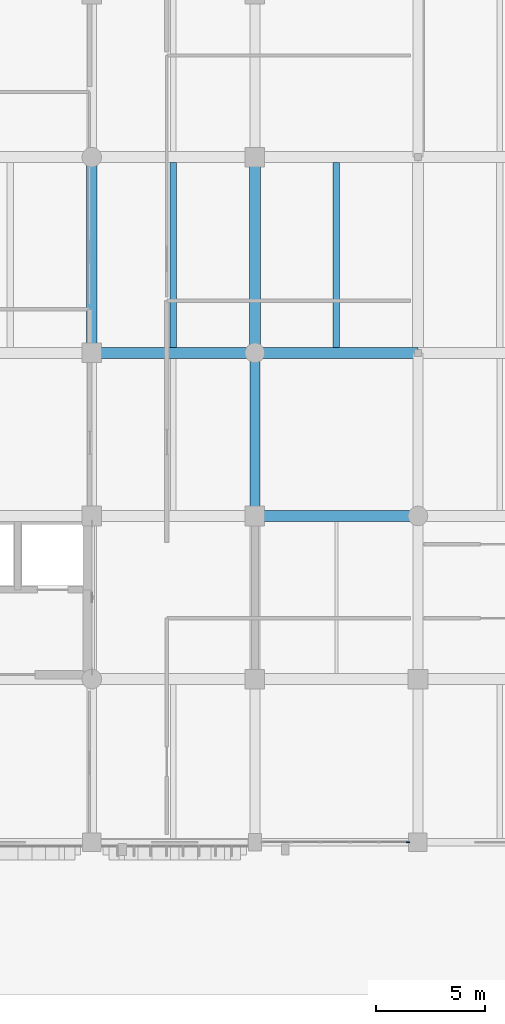
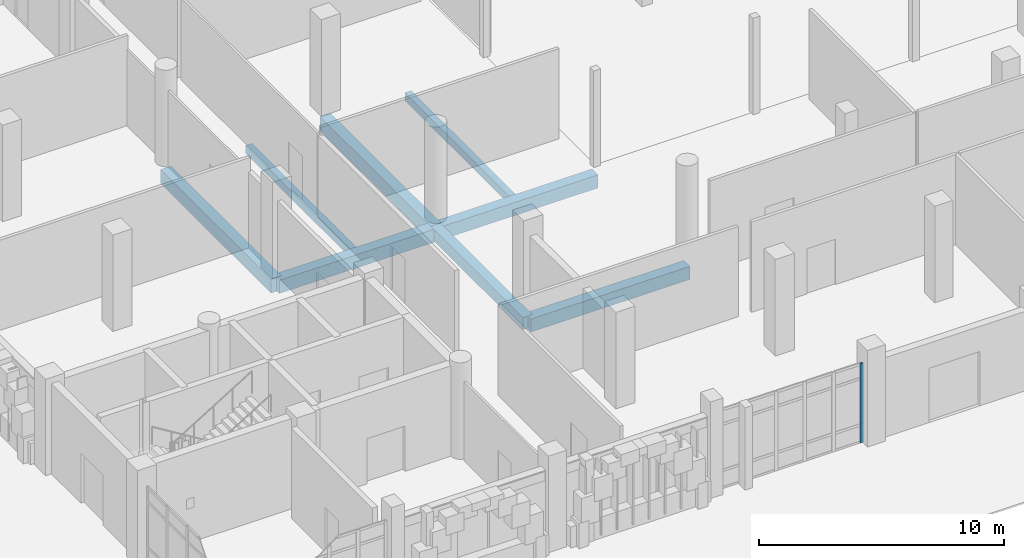
# One storey, part 17 of 125: 8 beams, 1 member, 1 element without a shape of its own.
"""IFC4 building model written with IfcOpenShell, lengths in metres."""

from ifc_helpers import new_model, si_unit, direction, frame, origin, origin_2d, place, context, subcontext, project, spatial, rectangle, extrude, material, layer, layer_set, material_profile, profile_set, type_object, element, aggregate, save


model = new_model("IFC4")

# Units and contexts
model_context = context("Model", 3, precision=1e-05, world=origin(), true_north=direction((0.0, 1.0)))
body_context = subcontext(model_context, "Body", "Model", "MODEL_VIEW")
ifc_project = project(units=[si_unit("LENGTHUNIT", "METRE"), si_unit("AREAUNIT", "SQUARE_METRE"), si_unit("VOLUMEUNIT", "CUBIC_METRE"), si_unit("PLANEANGLEUNIT", "RADIAN"), si_unit("MASSUNIT", "GRAM", prefix="KILO")], contexts=[model_context])

# Site, building, storey
site_placement = place(None, origin())
site = spatial("IfcSite", under=ifc_project, at=site_placement, CompositionType="ELEMENT")
building_placement = place(site_placement, origin())
building = spatial("IfcBuilding", under=site, at=building_placement, Name="Dalvernix Boulevard General Hospital", CompositionType="ELEMENT")
storey_placement = place(building_placement, origin())
storey = spatial("IfcBuildingStorey", under=building, at=storey_placement, Name="L00", CompositionType="ELEMENT", Elevation=0.0)

# Beams
ifc_material_1 = material(Name="Concrete C35/45", Category="concrete")
ifc_material_profile_1 = material_profile(ifc_material_1, rectangle(XDim=0.5, YDim=0.699951171875, at=origin_2d()), Name="RCB 500x700")
ifc_profile_set_1 = profile_set([ifc_material_profile_1], Name="Concrete C35/45")
beam_type_1 = type_object("IfcBeamType", Name="BM-B-01-I", PredefinedType="BEAM", material=ifc_profile_set_1)
for number, where, z_axis, x_axis, name in (
    (1, (15.0, 22.5, -0.7099609375), (0.0, 1.0, 0.0), (-1.0, 0.0, 0.0), "L00 N-S girder 3:D-E"),
    (2, (22.5, 22.5, -0.7099609375), (0.0, 1.0, 0.0), (-1.0, 0.0, 0.0), "L00 N-S girder 4:D-E"),
):
    element("IfcBeam", number, at=place(storey_placement, frame(where, z_axis=z_axis, x_axis=x_axis)), inside=storey, type_object=beam_type_1, Name=name, PredefinedType="BEAM", context=body_context, shape_type="SweptSolid", body=[
        extrude(rectangle(XDim=0.5, YDim=0.699951171875, at=origin_2d()), origin(), (0.0, 0.0, 1.0), 9.0),
    ])
ifc_material_profile_2 = material_profile(ifc_material_1, rectangle(XDim=0.5, YDim=0.64990234375, at=origin_2d()), Name="RCB 500x650")
ifc_profile_set_2 = profile_set([ifc_material_profile_2], Name="Concrete C35/45")
beam_type_2 = type_object("IfcBeamType", Name="BM-B-02-I", PredefinedType="BEAM", material=ifc_profile_set_2)
for number, where, z_axis, x_axis, name in (
    (3, (22.5, 15.0, -0.68505859375), (1.0, 0.0, 0.0), (0.0, 1.0, 0.0), "L00 E-W girder C:4-5"),
    (4, (15.0, 22.5, -0.68505859375), (1.0, 0.0, 0.0), (0.0, 1.0, 0.0), "L00 E-W girder D:3-4"),
    (5, (22.5, 22.5, -0.68505859375), (1.0, 0.0, 0.0), (0.0, 1.0, 0.0), "L00 E-W girder D:4-5"),
):
    element("IfcBeam", number, at=place(storey_placement, frame(where, z_axis=z_axis, x_axis=x_axis)), inside=storey, type_object=beam_type_2, Name=name, PredefinedType="BEAM", context=body_context, shape_type="SweptSolid", body=[
        extrude(rectangle(XDim=0.5, YDim=0.64990234375, at=origin_2d()), origin(), (0.0, 0.0, 1.0), 7.5),
    ])
ifc_material_profile_3 = material_profile(ifc_material_1, rectangle(XDim=0.449951171875, YDim=0.60009765625, at=origin_2d()), Name="RCB 450x600")
ifc_profile_set_3 = profile_set([ifc_material_profile_3], Name="Concrete C35/45")
beam_type_3 = type_object("IfcBeamType", Name="BM-B-04-I", PredefinedType="BEAM", material=ifc_profile_set_3)
beam_placement = place(storey_placement, frame((22.5, 15.0, -0.659912109375), z_axis=(0.0, 1.0, 0.0), x_axis=(-1.0, 0.0, 0.0)))
element("IfcBeam", 6, at=beam_placement, inside=storey, type_object=beam_type_3, Name="L00 N-S girder 4:C-D", PredefinedType="BEAM", context=body_context, shape_type="SweptSolid", body=[
    extrude(rectangle(XDim=0.449951171875, YDim=0.60009765625, at=origin_2d()), origin(), (0.0, 0.0, 1.0), 7.5),
])
ifc_material_profile_4 = material_profile(ifc_material_1, rectangle(XDim=0.300048828125, YDim=0.39990234375, at=origin_2d()), Name="RCB 300x400")
ifc_profile_set_4 = profile_set([ifc_material_profile_4], Name="Concrete C35/45")
beam_type_4 = type_object("IfcBeamType", Name="BM-JB-01", PredefinedType="JOIST", material=ifc_profile_set_4)
for number, where, z_axis, x_axis, name in (
    (7, (18.75, 22.75, -0.56005859375), (0.0, 1.0, 0.0), (-1.0, 0.0, 0.0), "L00 secondary floor beam 3-D"),
    (8, (26.25, 22.75, -0.56005859375), (0.0, 1.0, 0.0), (-1.0, 0.0, 0.0), "L00 secondary floor beam 4-D"),
):
    element("IfcBeam", number, at=place(storey_placement, frame(where, z_axis=z_axis, x_axis=x_axis)), inside=storey, type_object=beam_type_4, Name=name, PredefinedType="JOIST", context=body_context, shape_type="SweptSolid", body=[
        extrude(rectangle(XDim=0.300048828125, YDim=0.39990234375, at=origin_2d()), origin(), (0.0, 0.0, 1.0), 8.5),
    ])

# Curtain wall, member
ifc_material_2 = material(Name="Thermally broken aluminium and solar-control glass curtain wall", Category="aluminium")
ifc_layer = layer(ifc_material_2, 0.159912109375)
ifc_layer_set = layer_set([ifc_layer], Name="Thermally broken aluminium and solar-control glass curtain wall (CW-CW-A-68x40)")
curtain_wall_type = type_object("IfcCurtainWallType", Name="CW-CW-A-68x40", PredefinedType="USERDEFINED", material=ifc_layer_set)
curtain_wall_placement = place(storey_placement, origin())
curtain_wall = element("IfcCurtainWall", 9, at=curtain_wall_placement, inside=storey, type_object=curtain_wall_type, Name="L00 curtain wall CW-A-68x40 3-0", ObjectType="GLAZED FACADE", PredefinedType="USERDEFINED")
ifc_material_3 = material(Name="Aluminium EN AW-6060", Category="aluminium")
ifc_material_profile_5 = material_profile(ifc_material_3, rectangle(XDim=0.06005859375, YDim=0.159912109375, at=origin_2d()), Name="ALU MULL 60x160")
ifc_profile_set_5 = profile_set([ifc_material_profile_5], Name="Aluminium EN AW-6060")
member_type = type_object("IfcMemberType", Name="MEM-CW-M1", PredefinedType="MULLION", material=ifc_profile_set_5)
member_placement = place(storey_placement, frame((29.534912109375, 0.0, 0.0), z_axis=(0.0, 0.0, 1.0), x_axis=(0.0, -1.0, 0.0)))
member = element("IfcMember", 10, at=member_placement, type_object=member_type, Name="CW-A-68x40 mullion 1", PredefinedType="MULLION", context=body_context, shape_type="SweptSolid", body=[
    extrude(rectangle(XDim=0.06005859375, YDim=0.159912109375, at=origin_2d()), origin(), (0.0, 0.0, 1.0), 3.949951171875),
])
aggregate(curtain_wall, [member])

save(model, "model.ifc")
